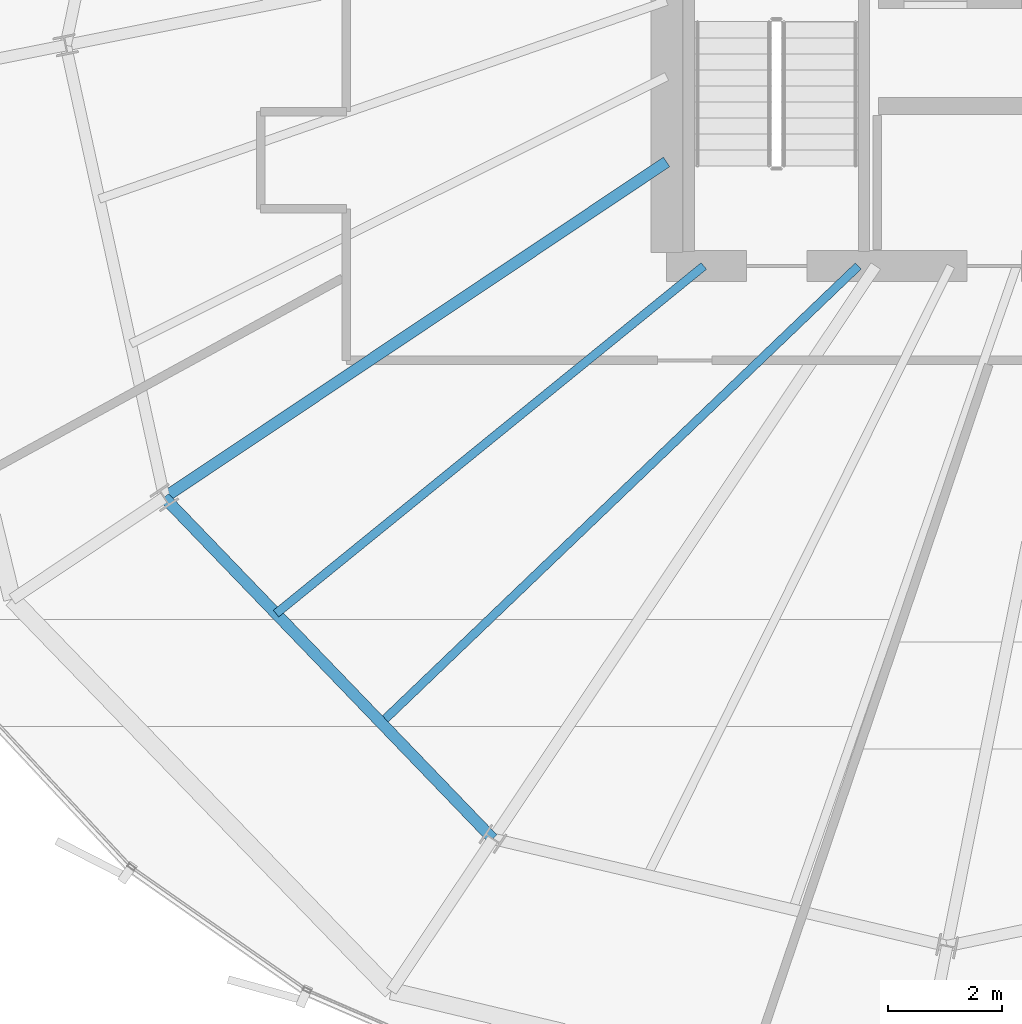
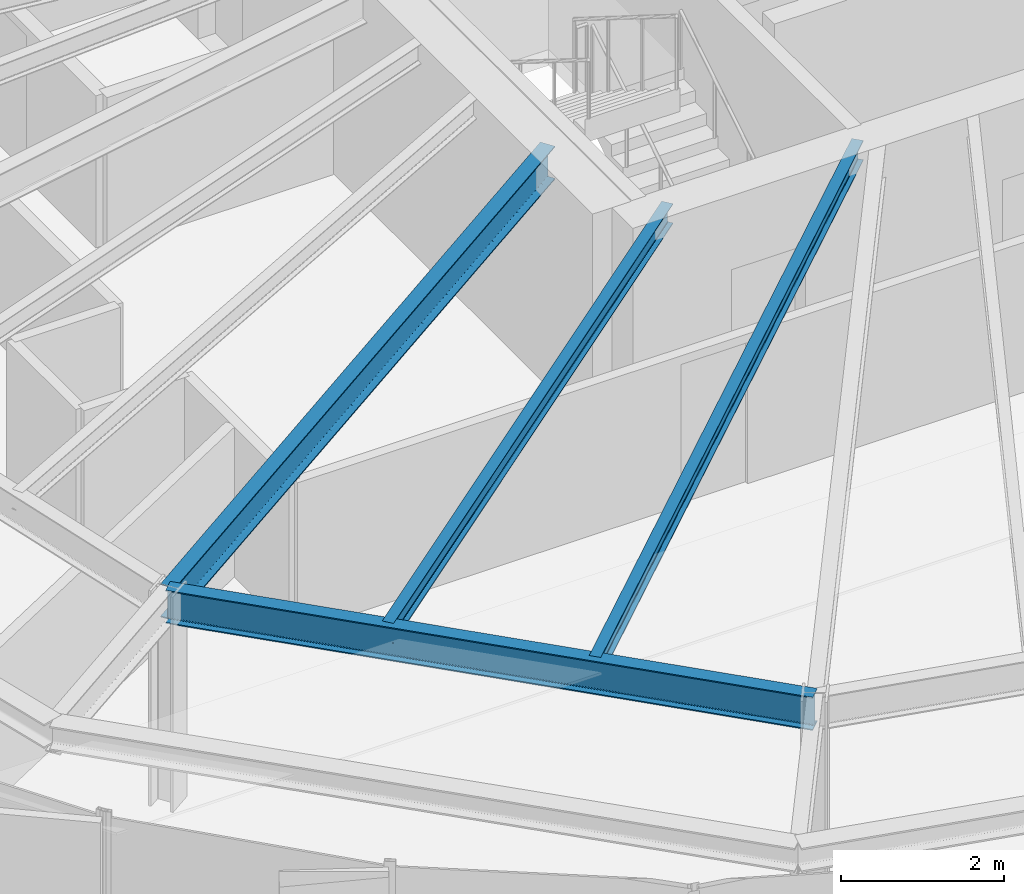
# One storey, part 5 of 34: 4 beams.
"""IFC4 building model written with IfcOpenShell, lengths in metres."""

from ifc_helpers import new_model, si_unit, direction, frame, origin, origin_2d, place, context, subcontext, project, spatial, i_section, extrude, source, transform, mapped, material, material_profile, profile_set, type_object, element, save


model = new_model("IFC4")

# Units and contexts
model_context = context("Model", 3, precision=1e-05, world=origin(), true_north=direction((0.0, 1.0)))
body_context = subcontext(model_context, "Body", "Model", "MODEL_VIEW")
ifc_project = project(units=[si_unit("LENGTHUNIT", "METRE"), si_unit("AREAUNIT", "SQUARE_METRE"), si_unit("VOLUMEUNIT", "CUBIC_METRE"), si_unit("PLANEANGLEUNIT", "RADIAN"), si_unit("MASSUNIT", "GRAM", prefix="KILO"), si_unit("THERMODYNAMICTEMPERATUREUNIT", "KELVIN")], contexts=[model_context])

# Site, building, storey
site_placement = place(None, origin())
site = spatial("IfcSite", under=ifc_project, at=site_placement, CompositionType="ELEMENT")
building_placement = place(site_placement, origin())
building = spatial("IfcBuilding", under=site, at=building_placement, Name="Kethvar Cultural Tower", CompositionType="ELEMENT")
storey_placement = place(building_placement, frame((0.0, 0.0, 183.39990234375)))
storey = spatial("IfcBuildingStorey", under=building, at=storey_placement, Name="L47", CompositionType="ELEMENT", Elevation=183.39990234375)

# Beams
ifc_material = material(Name="Steel S355J2", Category="steel")
ifc_material_profile_1 = material_profile(ifc_material, i_section(OverallWidth=0.199951171875, OverallDepth=0.5, WebThickness=0.01025390625, FlangeThickness=0.01611328125, FilletRadius=0.02099609375, at=origin_2d()), Name="Steel S355J2 — IPE500")
ifc_profile_set_1 = profile_set([ifc_material_profile_1], Name="Steel S355J2 — IPE500")
beam_type_1 = type_object("IfcBeamType", Name="BM-IPE500", PredefinedType="BEAM", material=ifc_profile_set_1)
shared_shape_1 = source(origin(), body_context, "Body", "SweptSolid", [
    extrude(i_section(OverallWidth=0.199951171875, OverallDepth=0.5, WebThickness=0.01025390625, FlangeThickness=0.01611328125, FilletRadius=0.02099609375, at=origin_2d()), origin(), (0.0, 0.0, 1.0), 10.562744140625),
])
beam_1_placement = place(storey_placement, frame((38.0, 21.920166015625, 3.008056640625), z_axis=(-0.831463100754, -0.555579978117, 0.0), x_axis=(0.555579978117, -0.831463100754, 0.0)))
element("IfcBeam", 1, at=beam_1_placement, inside=storey, type_object=beam_type_1, Name="L47 Primary Radial Beam RB-10", PredefinedType="BEAM", context=body_context, shape_type="MappedRepresentation", body=[
    mapped(shared_shape_1, transform((0.0, 0.0, 0.0), scale=1.0)),
])
shared_shape_2 = source(origin(), body_context, "Body", "SweptSolid", [
    extrude(i_section(OverallWidth=0.199951171875, OverallDepth=0.5, WebThickness=0.01025390625, FlangeThickness=0.01611328125, FilletRadius=0.02099609375, at=origin_2d()), origin(), (0.0, 0.0, 1.0), 8.28369140625),
])
beam_2_placement = place(storey_placement, frame((29.217529296875, 16.0517578125, 3.008056640625), z_axis=(0.693554459208, -0.72040420051, 0.0), x_axis=(0.72040420051, 0.693554459208, 0.0)))
element("IfcBeam", 2, at=beam_2_placement, inside=storey, type_object=beam_type_1, Name="L47 Column Ring Tie Beam CR-10", PredefinedType="BEAM", context=body_context, shape_type="MappedRepresentation", body=[
    mapped(shared_shape_2, transform((0.0, 0.0, 0.0), scale=1.0)),
])
ifc_material_profile_2 = material_profile(ifc_material, i_section(OverallWidth=0.14990234375, OverallDepth=0.300048828125, WebThickness=0.007080078125, FlangeThickness=0.0107421875, FilletRadius=0.014892578125, at=origin_2d()), Name="Steel S355J2 — IPE300")
ifc_profile_set_2 = profile_set([ifc_material_profile_2], Name="Steel S355J2 — IPE300")
beam_type_2 = type_object("IfcBeamType", Name="BM-J300", PredefinedType="JOIST", material=ifc_profile_set_2)
shared_shape_3 = source(origin(), body_context, "Body", "SweptSolid", [
    extrude(i_section(OverallWidth=0.14990234375, OverallDepth=0.300048828125, WebThickness=0.007080078125, FlangeThickness=0.0107421875, FilletRadius=0.014892578125, at=origin_2d()), origin(), (0.0, 0.0, 1.0), 9.63671875),
])
beam_3_placement = place(storey_placement, frame((38.64990234375, 20.10009765625, 3.108154296875), z_axis=(-0.776090751649, -0.630621237515, 0.0), x_axis=(0.630621237515, -0.776090751649, 0.0)))
element("IfcBeam", 3, at=beam_3_placement, inside=storey, type_object=beam_type_2, Name="L47 Composite Floor Joist J-10A", PredefinedType="JOIST", context=body_context, shape_type="MappedRepresentation", body=[
    mapped(shared_shape_3, transform((0.0, 0.0, 0.0), scale=1.0)),
])
shared_shape_4 = source(origin(), body_context, "Body", "SweptSolid", [
    extrude(i_section(OverallWidth=0.14990234375, OverallDepth=0.300048828125, WebThickness=0.007080078125, FlangeThickness=0.0107421875, FilletRadius=0.014892578125, at=origin_2d()), origin(), (0.0, 0.0, 1.0), 11.548095703125),
])
beam_4_placement = place(storey_placement, frame((41.35009765625, 20.10009765625, 3.108154296875), z_axis=(-0.722268013472, -0.691613271067, 0.0), x_axis=(0.691613271067, -0.722268013472, 0.0)))
element("IfcBeam", 4, at=beam_4_placement, inside=storey, type_object=beam_type_2, Name="L47 Composite Floor Joist J-10B", PredefinedType="JOIST", context=body_context, shape_type="MappedRepresentation", body=[
    mapped(shared_shape_4, transform((0.0, 0.0, 0.0), scale=1.0)),
])

save(model, "model.ifc")
